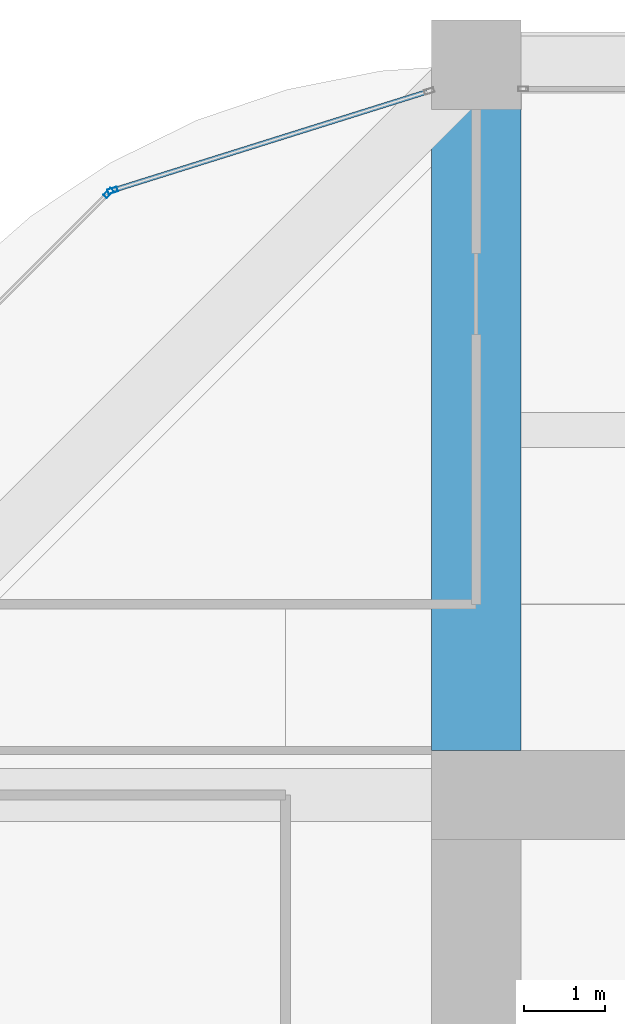
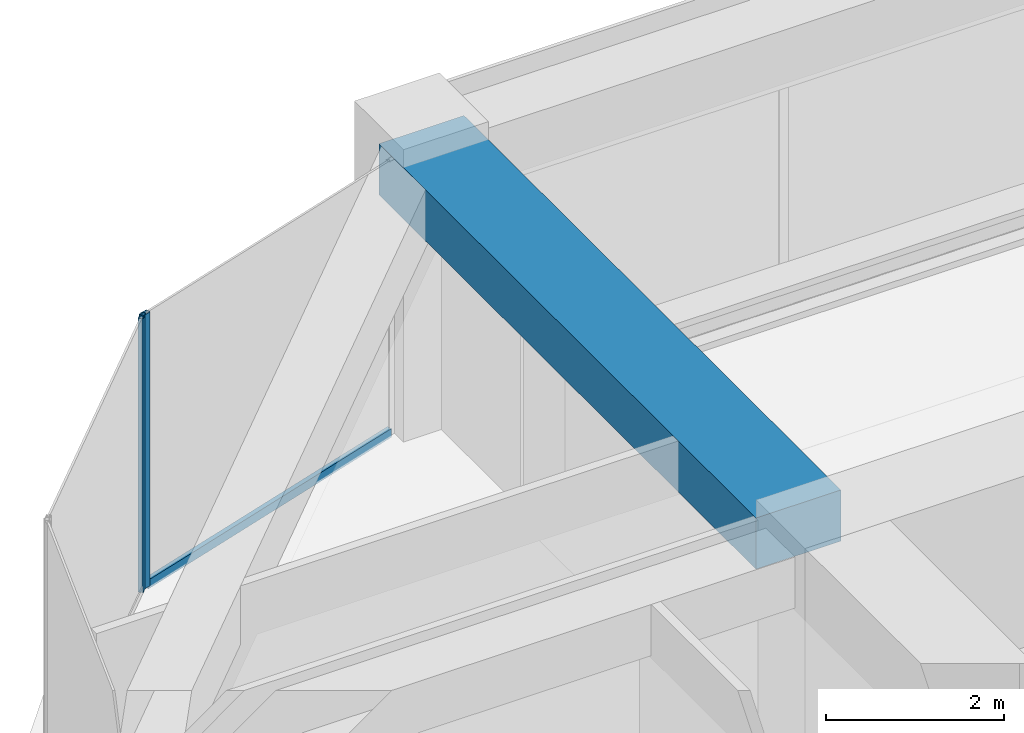
# One storey, part 30 of 45: 3 members, 1 beam, 2 elements without a shape of their own.
"""IFC4 building model written with IfcOpenShell, lengths in metres."""

from ifc_helpers import new_model, si_unit, direction, frame, origin, origin_2d, place, context, subcontext, project, spatial, rectangle, hollow_rectangle, extrude, material, material_profile, profile_set, type_object, element, aggregate, save


model = new_model("IFC4")

# Units and contexts
model_context = context("Model", 3, precision=1e-05, world=origin(), true_north=direction((0.0, 1.0)))
body_context = subcontext(model_context, "Body", "Model", "MODEL_VIEW")
ifc_project = project(units=[si_unit("LENGTHUNIT", "METRE"), si_unit("AREAUNIT", "SQUARE_METRE"), si_unit("VOLUMEUNIT", "CUBIC_METRE"), si_unit("PLANEANGLEUNIT", "RADIAN"), si_unit("MASSUNIT", "GRAM", prefix="KILO")], contexts=[model_context])

# Site, building, storey
site_placement = place(None, origin())
site = spatial("IfcSite", under=ifc_project, at=site_placement, CompositionType="ELEMENT")
building_placement = place(site_placement, origin())
building = spatial("IfcBuilding", under=site, at=building_placement, Name="Zorevar Civic Tower", CompositionType="ELEMENT")
storey_placement = place(building_placement, frame((0.0, 0.0, 303.39990234375)))
storey = spatial("IfcBuildingStorey", under=building, at=storey_placement, Name="L74", CompositionType="ELEMENT", Elevation=303.39990234375)

# Beam
ifc_material_1 = material(Name="Concrete C50/60", Category="concrete")
ifc_material_profile_1 = material_profile(ifc_material_1, rectangle(XDim=1.10009765625, YDim=0.699951171875, at=origin_2d()), Name="RC 1100x700")
ifc_profile_set_1 = profile_set([ifc_material_profile_1], Name="Concrete C50/60")
beam_type = type_object("IfcBeamType", Name="Beam RC 1100x700", PredefinedType="BEAM", material=ifc_profile_set_1)
beam_placement = place(storey_placement, frame((18.0, 36.550048828125, 3.400146484375), z_axis=(0.0, 1.0, 0.0), x_axis=(-1.0, 0.0, 0.0)))
element("IfcBeam", 1, at=beam_placement, inside=storey, type_object=beam_type, Name="Girder L75", PredefinedType="BEAM", context=body_context, shape_type="SweptSolid", body=[
    extrude(rectangle(XDim=1.10009765625, YDim=0.699951171875, at=origin_2d()), origin(), (0.0, 0.0, 1.0), 8.449951171875),
])

# Curtain wall, member
ifc_material_2 = material(Name="Dark grey solar-control glass in black aluminium frame", Category="aluminium")
curtain_wall_type = type_object("IfcCurtainWallType", Name="Curtain wall CW5 top zone", PredefinedType="NOTDEFINED", material=ifc_material_2)
curtain_wall_1_placement = place(storey_placement, origin())
curtain_wall_1 = element("IfcCurtainWall", 2, at=curtain_wall_1_placement, inside=storey, type_object=curtain_wall_type, Name="CW5 L74", PredefinedType="NOTDEFINED")
ifc_material_3 = material(Name="Aluminium, black anodised", Category="aluminium")
ifc_material_profile_2 = material_profile(ifc_material_3, hollow_rectangle(XDim=0.06005859375, YDim=0.1201171875, WallThickness=0.0029296875, at=origin_2d()), Name="AL 120x60x3")
ifc_profile_set_2 = profile_set([ifc_material_profile_2], Name="Aluminium, black anodised")
member_type_1 = type_object("IfcMemberType", Name="CW5 mullion AL 120x60x3", PredefinedType="MULLION", material=ifc_profile_set_2)
member_1_placement = place(storey_placement, frame((13.520751953125, 43.449951171875, 0.0), z_axis=(0.0, 0.0, 1.0), x_axis=(0.299317920238, -0.954153437674, 0.0)))
member_1 = element("IfcMember", 3, at=member_1_placement, type_object=member_type_1, Name="CW5 mullion 2", PredefinedType="MULLION", context=body_context, shape_type="SweptSolid", body=[
    extrude(hollow_rectangle(XDim=0.06005859375, YDim=0.1201171875, WallThickness=0.0029296875, at=origin_2d()), origin(), (0.0, 0.0, 1.0), 3.75),
])

curtain_wall_2_placement = place(storey_placement, origin())
curtain_wall_2 = element("IfcCurtainWall", 4, at=curtain_wall_2_placement, inside=storey, type_object=curtain_wall_type, Name="CW5 L74", PredefinedType="NOTDEFINED")
member_2_placement = place(storey_placement, frame((13.470947265625, 43.419677734375, 0.0), z_axis=(0.0, 0.0, 1.0), x_axis=(0.707106781187, -0.707106781187, 0.0)))
member_2 = element("IfcMember", 5, at=member_2_placement, type_object=member_type_1, Name="CW5 mullion 1", PredefinedType="MULLION", context=body_context, shape_type="SweptSolid", body=[
    extrude(hollow_rectangle(XDim=0.06005859375, YDim=0.1201171875, WallThickness=0.0029296875, at=origin_2d()), origin(), (0.0, 0.0, 1.0), 3.75),
])
aggregate(curtain_wall_2, [member_2])

# Member
ifc_material_4 = material(Name="Aluminium, black anodised", Category="aluminium")
ifc_material_profile_3 = material_profile(ifc_material_4, hollow_rectangle(XDim=0.06005859375, YDim=0.1201171875, WallThickness=0.0029296875, at=origin_2d()), Name="AL 120x60x3")
ifc_profile_set_3 = profile_set([ifc_material_profile_3], Name="Aluminium, black anodised")
member_type_2 = type_object("IfcMemberType", Name="CW5 transom AL 120x60x3", PredefinedType="USERDEFINED", material=ifc_profile_set_3)
member_3_placement = place(storey_placement, frame((17.392822265625, 44.66455078125, 0.030029296875), z_axis=(-0.954163457351, -0.299285978047, 0.0), x_axis=(0.299285978047, -0.954163457351, 0.0)))
member_3 = element("IfcMember", 6, at=member_3_placement, type_object=member_type_2, Name="CW5 sill transom", ObjectType="TRANSOM", PredefinedType="USERDEFINED", context=body_context, shape_type="SweptSolid", body=[
    extrude(hollow_rectangle(XDim=0.06005859375, YDim=0.1201171875, WallThickness=0.0029296875, at=origin_2d()), origin(), (0.0, 0.0, 1.0), 4.028076171875),
])

aggregate(curtain_wall_1, [member_1, member_3])

save(model, "model.ifc")
